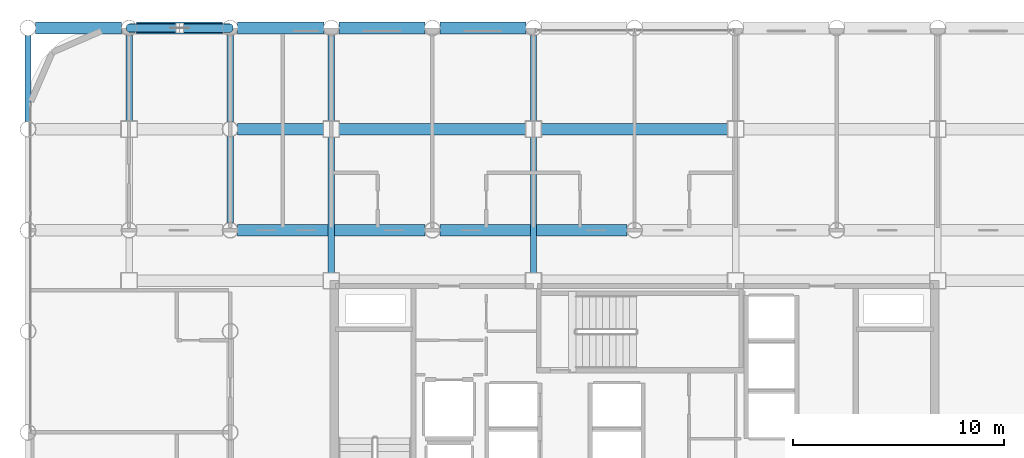
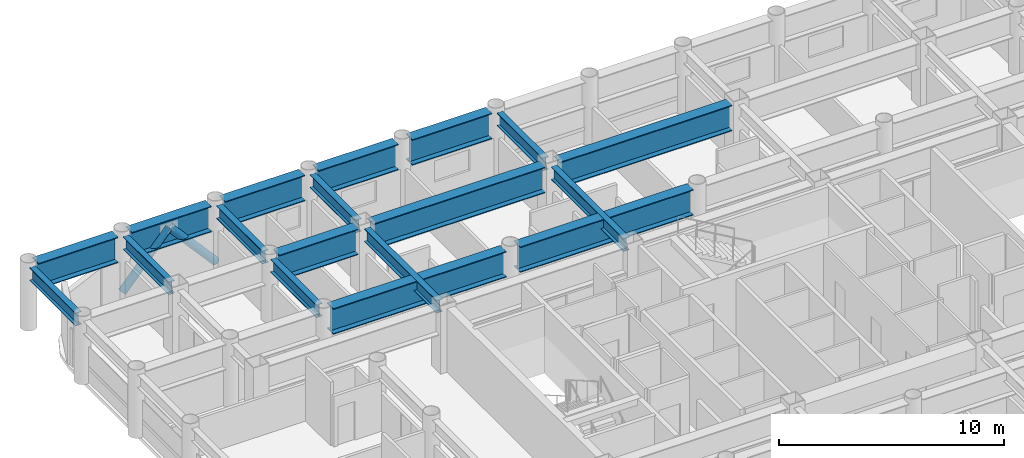
# One storey, part 10 of 21: 18 beams, 2 members.
"""IFC4 building model written with IfcOpenShell, lengths in metres."""

from ifc_helpers import new_model, si_unit, direction, frame, origin, origin_2d, place, context, subcontext, project, spatial, hollow_circle, i_section, extrude, material, material_profile, profile_set, type_object, element, save


model = new_model("IFC4")

# Units and contexts
model_context = context("Model", 3, precision=1e-05, world=origin(), true_north=direction((0.0, 1.0)))
body_context = subcontext(model_context, "Body", "Model", "MODEL_VIEW")
ifc_project = project(units=[si_unit("LENGTHUNIT", "METRE"), si_unit("AREAUNIT", "SQUARE_METRE"), si_unit("VOLUMEUNIT", "CUBIC_METRE"), si_unit("PLANEANGLEUNIT", "RADIAN"), si_unit("MASSUNIT", "GRAM", prefix="KILO")], contexts=[model_context])

# Site, building, storey
site_placement = place(None, origin())
site = spatial("IfcSite", under=ifc_project, at=site_placement, CompositionType="ELEMENT")
building_placement = place(site_placement, origin())
building = spatial("IfcBuilding", under=site, at=building_placement, Name="Kallvorn Hotel Tower", CompositionType="ELEMENT")
storey_placement = place(building_placement, frame((0.0, 0.0, 85.5)))
storey = spatial("IfcBuildingStorey", under=building, at=storey_placement, Name="L20", CompositionType="ELEMENT", Elevation=85.5)

# Beams
ifc_material_1 = material(Name="Structural steel S355JR", Category="steel")
ifc_material_profile_1 = material_profile(ifc_material_1, i_section(OverallWidth=0.300048828125, OverallDepth=0.699951171875, WebThickness=0.01708984375, FlangeThickness=0.031982421875, at=origin_2d()), Name="HE 700 B")
ifc_profile_set_1 = profile_set([ifc_material_profile_1], Name="Structural steel S355JR")
beam_type_1 = type_object("IfcBeamType", Name="BM_HE700B", PredefinedType="BEAM", material=ifc_profile_set_1)
beam_1_placement = place(storey_placement, frame((-28.800048828125, 14.756103515625, 3.10009765625), z_axis=(0.0, 1.0, 0.0), x_axis=(-1.0, 0.0, 0.0)))
element("IfcBeam", 1, at=beam_1_placement, inside=storey, type_object=beam_type_1, Name="L21 Primary Y-Girder 80", PredefinedType="BEAM", context=body_context, shape_type="SweptSolid", body=[
    extrude(i_section(OverallWidth=0.300048828125, OverallDepth=0.699951171875, WebThickness=0.01708984375, FlangeThickness=0.031982421875, at=origin_2d()), origin(), (0.0, 0.0, 1.0), 4.087890625),
])
beam_2_placement = place(storey_placement, frame((-24.0, 14.77490234375, 3.10009765625), z_axis=(0.0, 1.0, 0.0), x_axis=(-1.0, 0.0, 0.0)))
element("IfcBeam", 2, at=beam_2_placement, inside=storey, type_object=beam_type_1, Name="L21 Primary Y-Girder 87", PredefinedType="BEAM", context=body_context, shape_type="SweptSolid", body=[
    extrude(i_section(OverallWidth=0.300048828125, OverallDepth=0.699951171875, WebThickness=0.01708984375, FlangeThickness=0.031982421875, at=origin_2d()), origin(), (0.0, 0.0, 1.0), 4.069091796875),
])
for number, where, z_axis, x_axis, name in (
    (3, (-19.199951171875, 9.9560546875, 3.10009765625), (0.0, 1.0, 0.0), (-1.0, 0.0, 0.0), "L21 Primary Y-Girder 95"),
    (4, (-19.199951171875, 14.756103515625, 3.10009765625), (0.0, 1.0, 0.0), (-1.0, 0.0, 0.0), "L21 Primary Y-Girder 96"),
):
    element("IfcBeam", number, at=place(storey_placement, frame(where, z_axis=z_axis, x_axis=x_axis)), inside=storey, type_object=beam_type_1, Name=name, PredefinedType="BEAM", context=body_context, shape_type="SweptSolid", body=[
        extrude(i_section(OverallWidth=0.300048828125, OverallDepth=0.699951171875, WebThickness=0.01708984375, FlangeThickness=0.031982421875, at=origin_2d()), origin(), (0.0, 0.0, 1.0), 4.087890625),
    ])
beam_3_placement = place(storey_placement, frame((-14.39990234375, 7.574951171875, 3.10009765625), z_axis=(0.0, 1.0, 0.0), x_axis=(-1.0, 0.0, 0.0)))
element("IfcBeam", 5, at=beam_3_placement, inside=storey, type_object=beam_type_1, Name="L21 Primary Y-Girder 100", PredefinedType="BEAM", context=body_context, shape_type="SweptSolid", body=[
    extrude(i_section(OverallWidth=0.300048828125, OverallDepth=0.699951171875, WebThickness=0.01708984375, FlangeThickness=0.031982421875, at=origin_2d()), origin(), (0.0, 0.0, 1.0), 6.449951171875),
])
beam_4_placement = place(storey_placement, frame((-14.39990234375, 14.77490234375, 3.10009765625), z_axis=(0.0, 1.0, 0.0), x_axis=(-1.0, 0.0, 0.0)))
element("IfcBeam", 6, at=beam_4_placement, inside=storey, type_object=beam_type_1, Name="L21 Primary Y-Girder 101", PredefinedType="BEAM", context=body_context, shape_type="SweptSolid", body=[
    extrude(i_section(OverallWidth=0.300048828125, OverallDepth=0.699951171875, WebThickness=0.01708984375, FlangeThickness=0.031982421875, at=origin_2d()), origin(), (0.0, 0.0, 1.0), 4.069091796875),
])
beam_5_placement = place(storey_placement, frame((-4.800048828125, 7.574951171875, 3.10009765625), z_axis=(0.0, 1.0, 0.0), x_axis=(-1.0, 0.0, 0.0)))
element("IfcBeam", 7, at=beam_5_placement, inside=storey, type_object=beam_type_1, Name="L21 Primary Y-Girder 108", PredefinedType="BEAM", context=body_context, shape_type="SweptSolid", body=[
    extrude(i_section(OverallWidth=0.300048828125, OverallDepth=0.699951171875, WebThickness=0.01708984375, FlangeThickness=0.031982421875, at=origin_2d()), origin(), (0.0, 0.0, 1.0), 6.449951171875),
])
beam_6_placement = place(storey_placement, frame((-4.800048828125, 14.77490234375, 3.10009765625), z_axis=(0.0, 1.0, 0.0), x_axis=(-1.0, 0.0, 0.0)))
element("IfcBeam", 8, at=beam_6_placement, inside=storey, type_object=beam_type_1, Name="L21 Primary Y-Girder 109", PredefinedType="BEAM", context=body_context, shape_type="SweptSolid", body=[
    extrude(i_section(OverallWidth=0.300048828125, OverallDepth=0.699951171875, WebThickness=0.01708984375, FlangeThickness=0.031982421875, at=origin_2d()), origin(), (0.0, 0.0, 1.0), 4.069091796875),
])
ifc_material_2 = material(Name="Structural steel S355JR", Category="steel")
ifc_material_profile_2 = material_profile(ifc_material_2, i_section(OverallWidth=0.550048828125, OverallDepth=1.39990234375, WebThickness=0.02490234375, FlangeThickness=0.044921875, at=origin_2d()), Name="PG 1400x550x25x45")
ifc_profile_set_2 = profile_set([ifc_material_profile_2], Name="Structural steel S355JR")
beam_type_2 = type_object("IfcBeamType", Name="BM_PG_1400", PredefinedType="BEAM", material=ifc_profile_set_2)
for number, where, z_axis, x_axis, name in (
    (9, (-18.843994140625, 9.60009765625, 2.75), (1.0, 0.0, 0.0), (0.0, 1.0, 0.0), "L21 Primary X-Girder 44"),
    (10, (-9.243896484375, 9.60009765625, 2.75), (1.0, 0.0, 0.0), (0.0, 1.0, 0.0), "L21 Primary X-Girder 45"),
):
    element("IfcBeam", number, at=place(storey_placement, frame(where, z_axis=z_axis, x_axis=x_axis)), inside=storey, type_object=beam_type_2, Name=name, PredefinedType="BEAM", context=body_context, shape_type="SweptSolid", body=[
        extrude(i_section(OverallWidth=0.550048828125, OverallDepth=1.39990234375, WebThickness=0.02490234375, FlangeThickness=0.044921875, at=origin_2d()), origin(), (0.0, 0.0, 1.0), 8.887939453125),
    ])
beam_7_placement = place(storey_placement, frame((-18.843994140625, 14.39990234375, 2.75), z_axis=(1.0, 0.0, 0.0), x_axis=(0.0, 1.0, 0.0)))
element("IfcBeam", 11, at=beam_7_placement, inside=storey, type_object=beam_type_2, Name="L21 Primary X-Girder 53", PredefinedType="BEAM", context=body_context, shape_type="SweptSolid", body=[
    extrude(i_section(OverallWidth=0.550048828125, OverallDepth=1.39990234375, WebThickness=0.02490234375, FlangeThickness=0.044921875, at=origin_2d()), origin(), (0.0, 0.0, 1.0), 4.069091796875),
])
beam_8_placement = place(storey_placement, frame((-14.02490234375, 14.39990234375, 2.75), z_axis=(1.0, 0.0, 0.0), x_axis=(0.0, 1.0, 0.0)))
element("IfcBeam", 12, at=beam_8_placement, inside=storey, type_object=beam_type_2, Name="L21 Primary X-Girder 54", PredefinedType="BEAM", context=body_context, shape_type="SweptSolid", body=[
    extrude(i_section(OverallWidth=0.550048828125, OverallDepth=1.39990234375, WebThickness=0.02490234375, FlangeThickness=0.044921875, at=origin_2d()), origin(), (0.0, 0.0, 1.0), 8.849853515625),
])
beam_9_placement = place(storey_placement, frame((-4.425048828125, 14.39990234375, 2.75), z_axis=(1.0, 0.0, 0.0), x_axis=(0.0, 1.0, 0.0)))
element("IfcBeam", 13, at=beam_9_placement, inside=storey, type_object=beam_type_2, Name="L21 Primary X-Girder 55", PredefinedType="BEAM", context=body_context, shape_type="SweptSolid", body=[
    extrude(i_section(OverallWidth=0.550048828125, OverallDepth=1.39990234375, WebThickness=0.02490234375, FlangeThickness=0.044921875, at=origin_2d()), origin(), (0.0, 0.0, 1.0), 8.85009765625),
])
for number, where, z_axis, x_axis, name in (
    (14, (-28.444091796875, 19.199951171875, 2.75), (1.0, 0.0, 0.0), (0.0, 1.0, 0.0), "L21 Primary X-Girder 61"),
    (15, (-23.64404296875, 19.199951171875, 2.75), (1.0, 0.0, 0.0), (0.0, 1.0, 0.0), "L21 Primary X-Girder 62"),
):
    element("IfcBeam", number, at=place(storey_placement, frame(where, z_axis=z_axis, x_axis=x_axis)), inside=storey, type_object=beam_type_2, Name=name, PredefinedType="BEAM", context=body_context, shape_type="SweptSolid", body=[
        extrude(i_section(OverallWidth=0.550048828125, OverallDepth=1.39990234375, WebThickness=0.02490234375, FlangeThickness=0.044921875, at=origin_2d()), origin(), (0.0, 0.0, 1.0), 4.088134765625),
    ])
for number, where, z_axis, x_axis, name in (
    (16, (-18.843994140625, 19.199951171875, 2.75), (1.0, 0.0, 0.0), (0.0, 1.0, 0.0), "L21 Primary X-Girder 63"),
    (17, (-14.0439453125, 19.199951171875, 2.75), (1.0, 0.0, 0.0), (0.0, 1.0, 0.0), "L21 Primary X-Girder 64"),
    (18, (-9.243896484375, 19.199951171875, 2.75), (1.0, 0.0, 0.0), (0.0, 1.0, 0.0), "L21 Primary X-Girder 65"),
):
    element("IfcBeam", number, at=place(storey_placement, frame(where, z_axis=z_axis, x_axis=x_axis)), inside=storey, type_object=beam_type_2, Name=name, PredefinedType="BEAM", context=body_context, shape_type="SweptSolid", body=[
        extrude(i_section(OverallWidth=0.550048828125, OverallDepth=1.39990234375, WebThickness=0.02490234375, FlangeThickness=0.044921875, at=origin_2d()), origin(), (0.0, 0.0, 1.0), 4.087890625),
    ])

# Members
ifc_material_3 = material(Name="Structural steel S355J2H", Category="steel")
ifc_material_profile_3 = material_profile(ifc_material_3, hollow_circle(Radius=0.203125, WallThickness=0.01611328125, at=origin_2d()), Name="CHS 406.4x16")
ifc_profile_set_3 = profile_set([ifc_material_profile_3], Name="Structural steel S355J2H")
member_type = type_object("IfcMemberType", Name="MBR_EXO_CHS406", PredefinedType="BRACE", material=ifc_profile_set_3)
for number, where, z_axis, x_axis, name in (
    (19, (-23.98681640625, 19.199951171875, 0.195068359375), (0.663016682627, 0.0, 0.748604620983), (0.0, 1.0, 0.0), "L20 Exoskeleton K-Brace N1A"),
    (20, (-19.21337890625, 19.199951171875, 0.195068359375), (-0.662978461517, 0.0, 0.748638470535), (0.0, -1.0, 0.0), "L20 Exoskeleton K-Brace N1B"),
):
    element("IfcMember", number, at=place(storey_placement, frame(where, z_axis=z_axis, x_axis=x_axis)), inside=storey, type_object=member_type, Name=name, PredefinedType="BRACE", context=body_context, shape_type="SweptSolid", body=[
        extrude(hollow_circle(Radius=0.203125, WallThickness=0.01611328125, at=origin_2d()), origin(), (0.0, 0.0, 1.0), 3.579833984375),
    ])

save(model, "model.ifc")
